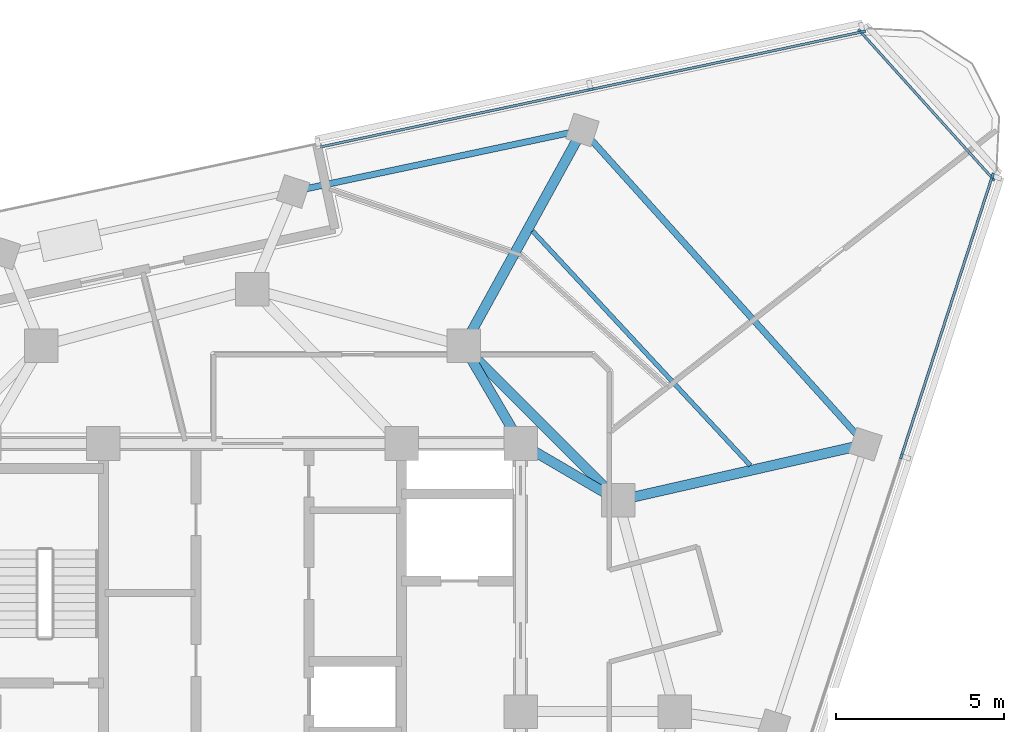
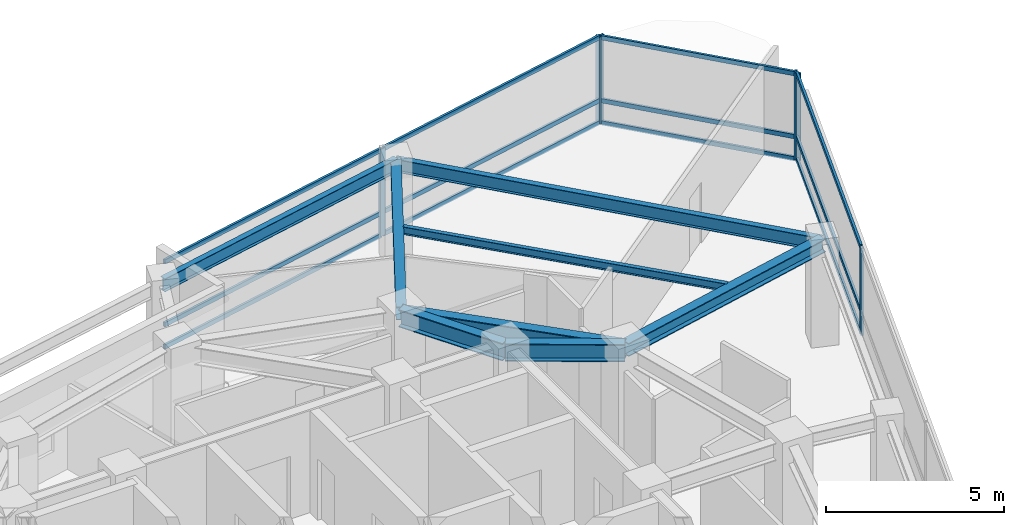
# One storey, part 6 of 15: 18 members, 8 beams, 3 elements without a shape of their own.
"""IFC4 building model written with IfcOpenShell, lengths in metres."""

from ifc_helpers import new_model, si_unit, direction, frame, origin, origin_2d, place, context, subcontext, project, spatial, rectangle, i_section, extrude, material, layer, layer_set, material_profile, profile_set, type_object, element, aggregate, save


model = new_model("IFC4")

# Units and contexts
model_context = context("Model", 3, precision=1e-05, world=origin(), true_north=direction((0.0, 1.0)))
body_context = subcontext(model_context, "Body", "Model", "MODEL_VIEW")
ifc_project = project(units=[si_unit("LENGTHUNIT", "METRE"), si_unit("AREAUNIT", "SQUARE_METRE"), si_unit("VOLUMEUNIT", "CUBIC_METRE"), si_unit("PLANEANGLEUNIT", "RADIAN"), si_unit("MASSUNIT", "GRAM", prefix="KILO")], contexts=[model_context])

# Site, building, storey
site_placement = place(None, origin())
site = spatial("IfcSite", under=ifc_project, at=site_placement, CompositionType="ELEMENT")
building_placement = place(site_placement, origin())
building = spatial("IfcBuilding", under=site, at=building_placement, Name="Terralouvre Media Tower", CompositionType="ELEMENT")
storey_placement = place(building_placement, frame((0.0, 0.0, 290.60009765625)))
storey = spatial("IfcBuildingStorey", under=building, at=storey_placement, Name="L75", CompositionType="ELEMENT", Elevation=290.60009765625)

# Beam
ifc_material_1 = material(Name="Structural steel S355J2", Category="steel")
ifc_material_profile_1 = material_profile(ifc_material_1, i_section(OverallWidth=0.135009765625, OverallDepth=0.27001953125, WebThickness=0.006591796875, FlangeThickness=0.01025390625, at=origin_2d()), Name="IPE 270")
ifc_profile_set_1 = profile_set([ifc_material_profile_1], Name="Structural steel S355J2")
beam_type_1 = type_object("IfcBeamType", Name="Composite Floor Joist J-IPE270 (IPE 270)", PredefinedType="JOIST", material=ifc_profile_set_1)
beam_1_placement = place(storey_placement, frame((14.85107421875, 7.34716796875, 3.364990234375), z_axis=(-0.680613949102, 0.732642240311, 0.0), x_axis=(-0.732642240311, -0.680613949102, 0.0)))
element("IfcBeam", 1, at=beam_1_placement, inside=storey, type_object=beam_type_1, Name="L75 Framing Beam JT-L75-04", PredefinedType="JOIST", context=body_context, shape_type="SweptSolid", body=[
    extrude(i_section(OverallWidth=0.135009765625, OverallDepth=0.27001953125, WebThickness=0.006591796875, FlangeThickness=0.01025390625, at=origin_2d()), origin(), (0.0, 0.0, 1.0), 9.54443359375),
])

# Curtain wall, members
ifc_material_2 = material(Name="Low-iron laminated double glazing with solar-control coating", Category="glass")
ifc_layer_1 = layer(ifc_material_2, 0.1650390625, Name="Faceted Glass-Point Crown Curtain Wall CW-06")
ifc_layer_set_1 = layer_set([ifc_layer_1], Name="Low-iron laminated double glazing with solar-control coating")
curtain_wall_type_1 = type_object("IfcCurtainWallType", Name="Faceted Glass-Point Crown Curtain Wall CW-06", PredefinedType="NOTDEFINED", material=ifc_layer_set_1)
curtain_wall_1_placement = place(storey_placement, origin())
curtain_wall_1 = element("IfcCurtainWall", 2, at=curtain_wall_1_placement, inside=storey, type_object=curtain_wall_type_1, Name="L75 Facade Curtain Wall F0", PredefinedType="NOTDEFINED")
ifc_material_3 = material(Name="Anodised extruded aluminium 6063-T6", Category="aluminium")
ifc_material_profile_2 = material_profile(ifc_material_3, rectangle(XDim=0.074951171875, YDim=0.14990234375, at=origin_2d()), Name="ALU 75x150")
ifc_profile_set_2 = profile_set([ifc_material_profile_2], Name="Anodised extruded aluminium 6063-T6")
member_type_1 = type_object("IfcMemberType", Name="Curtain-Wall Horizontal Transom TR-150", PredefinedType="USERDEFINED", material=ifc_profile_set_2)
member_1_placement = place(storey_placement, frame((19.372314453125, 7.662109375, 0.037353515625), z_axis=(0.309004958377, 0.951060426944, 0.0), x_axis=(-0.951060426944, 0.309004958377, 0.0)))
member_1 = element("IfcMember", 3, at=member_1_placement, type_object=member_type_1, Name="CW-06 transom 5.1", ObjectType="TRANSOM", PredefinedType="USERDEFINED", context=body_context, shape_type="SweptSolid", body=[
    extrude(rectangle(XDim=0.074951171875, YDim=0.14990234375, at=origin_2d()), origin(), (0.0, 0.0, 1.0), 8.71142578125),
])
member_2_placement = place(storey_placement, frame((19.372314453125, 7.662109375, 0.7998046875), z_axis=(0.309004958377, 0.951060426944, 0.0), x_axis=(-0.951060426944, 0.309004958377, 0.0)))
member_2 = element("IfcMember", 4, at=member_2_placement, type_object=member_type_1, Name="CW-06 transom 5.2", ObjectType="TRANSOM", PredefinedType="USERDEFINED", context=body_context, shape_type="SweptSolid", body=[
    extrude(rectangle(XDim=0.074951171875, YDim=0.14990234375, at=origin_2d()), origin(), (0.0, 0.0, 1.0), 8.71142578125),
])
member_3_placement = place(storey_placement, frame((19.372314453125, 7.662109375, 2.96240234375), z_axis=(0.309004958377, 0.951060426944, 0.0), x_axis=(-0.951060426944, 0.309004958377, 0.0)))
member_3 = element("IfcMember", 5, at=member_3_placement, type_object=member_type_1, Name="CW-06 transom 5.3", ObjectType="TRANSOM", PredefinedType="USERDEFINED", context=body_context, shape_type="SweptSolid", body=[
    extrude(rectangle(XDim=0.074951171875, YDim=0.14990234375, at=origin_2d()), origin(), (0.0, 0.0, 1.0), 8.71142578125),
])

curtain_wall_2_placement = place(storey_placement, origin())
curtain_wall_2 = element("IfcCurtainWall", 6, at=curtain_wall_2_placement, inside=storey, type_object=curtain_wall_type_1, Name="L75 Left Flank Curtain Wall F1", PredefinedType="NOTDEFINED")
member_4_placement = place(storey_placement, frame((18.166259765625, 20.2763671875, 0.037353515625), z_axis=(-0.978147598799, -0.207911699918, 0.0), x_axis=(0.207911699918, -0.978147598799, 0.0)))
member_4 = element("IfcMember", 7, at=member_4_placement, type_object=member_type_1, Name="CW-06 transom 1.1", ObjectType="TRANSOM", PredefinedType="USERDEFINED", context=body_context, shape_type="SweptSolid", body=[
    extrude(rectangle(XDim=0.074951171875, YDim=0.14990234375, at=origin_2d()), origin(), (0.0, 0.0, 1.0), 8.217529296875),
])
member_5_placement = place(storey_placement, frame((18.166259765625, 20.2763671875, 0.7998046875), z_axis=(-0.978147598799, -0.207911699918, 0.0), x_axis=(0.207911699918, -0.978147598799, 0.0)))
member_5 = element("IfcMember", 8, at=member_5_placement, type_object=member_type_1, Name="CW-06 transom 1.2", ObjectType="TRANSOM", PredefinedType="USERDEFINED", context=body_context, shape_type="SweptSolid", body=[
    extrude(rectangle(XDim=0.074951171875, YDim=0.14990234375, at=origin_2d()), origin(), (0.0, 0.0, 1.0), 8.217529296875),
])
member_6_placement = place(storey_placement, frame((18.166259765625, 20.2763671875, 2.96240234375), z_axis=(-0.978147598799, -0.207911699918, 0.0), x_axis=(0.207911699918, -0.978147598799, 0.0)))
member_6 = element("IfcMember", 9, at=member_6_placement, type_object=member_type_1, Name="CW-06 transom 1.3", ObjectType="TRANSOM", PredefinedType="USERDEFINED", context=body_context, shape_type="SweptSolid", body=[
    extrude(rectangle(XDim=0.074951171875, YDim=0.14990234375, at=origin_2d()), origin(), (0.0, 0.0, 1.0), 8.217529296875),
])
member_7_placement = place(storey_placement, frame((10.054931640625, 18.55224609375, 0.037353515625), z_axis=(-0.978147598799, -0.207911699918, 0.0), x_axis=(0.207911699918, -0.978147598799, 0.0)))
member_7 = element("IfcMember", 10, at=member_7_placement, type_object=member_type_1, Name="CW-06 transom 2.1", ObjectType="TRANSOM", PredefinedType="USERDEFINED", context=body_context, shape_type="SweptSolid", body=[
    extrude(rectangle(XDim=0.074951171875, YDim=0.14990234375, at=origin_2d()), origin(), (0.0, 0.0, 1.0), 8.217529296875),
])
member_8_placement = place(storey_placement, frame((10.054931640625, 18.55224609375, 0.7998046875), z_axis=(-0.978147598799, -0.207911699918, 0.0), x_axis=(0.207911699918, -0.978147598799, 0.0)))
member_8 = element("IfcMember", 11, at=member_8_placement, type_object=member_type_1, Name="CW-06 transom 2.2", ObjectType="TRANSOM", PredefinedType="USERDEFINED", context=body_context, shape_type="SweptSolid", body=[
    extrude(rectangle(XDim=0.074951171875, YDim=0.14990234375, at=origin_2d()), origin(), (0.0, 0.0, 1.0), 8.217529296875),
])
member_9_placement = place(storey_placement, frame((10.054931640625, 18.55224609375, 2.96240234375), z_axis=(-0.978147598799, -0.207911699918, 0.0), x_axis=(0.207911699918, -0.978147598799, 0.0)))
member_9 = element("IfcMember", 12, at=member_9_placement, type_object=member_type_1, Name="CW-06 transom 2.3", ObjectType="TRANSOM", PredefinedType="USERDEFINED", context=body_context, shape_type="SweptSolid", body=[
    extrude(rectangle(XDim=0.074951171875, YDim=0.14990234375, at=origin_2d()), origin(), (0.0, 0.0, 1.0), 8.217529296875),
])

ifc_material_4 = material(Name="Low-iron laminated double glazing with solar-control coating", Category="glass")
ifc_layer_2 = layer(ifc_material_4, 0.1650390625, Name="Rounded Wind-Corner Curved Glazing CW-04")
ifc_layer_set_2 = layer_set([ifc_layer_2], Name="Low-iron laminated double glazing with solar-control coating")
curtain_wall_type_2 = type_object("IfcCurtainWallType", Name="Rounded Wind-Corner Curved Glazing CW-04", PredefinedType="NOTDEFINED", material=ifc_layer_set_2)
curtain_wall_3_placement = place(storey_placement, origin())
curtain_wall_3 = element("IfcCurtainWall", 13, at=curtain_wall_3_placement, inside=storey, type_object=curtain_wall_type_2, Name="L75 Rounded Wind-Corner Curtain Wall C1", PredefinedType="NOTDEFINED")
member_10_placement = place(storey_placement, frame((22.04736328125, 15.943603515625, 0.037353515625), z_axis=(-0.669127275147, 0.743147824901, 0.0), x_axis=(-0.743147824901, -0.669127275147, 0.0)))
member_10 = element("IfcMember", 14, at=member_10_placement, type_object=member_type_1, Name="CW-04 transom 1.1", ObjectType="TRANSOM", PredefinedType="USERDEFINED", context=body_context, shape_type="SweptSolid", body=[
    extrude(rectangle(XDim=0.074951171875, YDim=0.14990234375, at=origin_2d()), origin(), (0.0, 0.0, 1.0), 5.808349609375),
])
member_11_placement = place(storey_placement, frame((22.04736328125, 15.943603515625, 0.7998046875), z_axis=(-0.669127275147, 0.743147824901, 0.0), x_axis=(-0.743147824901, -0.669127275147, 0.0)))
member_11 = element("IfcMember", 15, at=member_11_placement, type_object=member_type_1, Name="CW-04 transom 1.2", ObjectType="TRANSOM", PredefinedType="USERDEFINED", context=body_context, shape_type="SweptSolid", body=[
    extrude(rectangle(XDim=0.074951171875, YDim=0.14990234375, at=origin_2d()), origin(), (0.0, 0.0, 1.0), 5.808349609375),
])
member_12_placement = place(storey_placement, frame((22.04736328125, 15.943603515625, 2.96240234375), z_axis=(-0.669127275147, 0.743147824901, 0.0), x_axis=(-0.743147824901, -0.669127275147, 0.0)))
member_12 = element("IfcMember", 16, at=member_12_placement, type_object=member_type_1, Name="CW-04 transom 1.3", ObjectType="TRANSOM", PredefinedType="USERDEFINED", context=body_context, shape_type="SweptSolid", body=[
    extrude(rectangle(XDim=0.074951171875, YDim=0.14990234375, at=origin_2d()), origin(), (0.0, 0.0, 1.0), 5.808349609375),
])

# Member
ifc_material_5 = material(Name="Anodised extruded aluminium 6063-T6", Category="aluminium")
ifc_material_profile_3 = material_profile(ifc_material_5, rectangle(XDim=0.074951171875, YDim=0.179931640625, at=origin_2d()), Name="ALU 75x180")
ifc_profile_set_3 = profile_set([ifc_material_profile_3], Name="Anodised extruded aluminium 6063-T6")
member_type_2 = type_object("IfcMemberType", Name="Curtain-Wall Vertical Mullion ML-180", PredefinedType="MULLION", material=ifc_profile_set_3)
member_13_placement = place(storey_placement, frame((19.360595703125, 7.62646484375, 0.0), z_axis=(0.0, 0.0, 1.0), x_axis=(-0.951056507337, 0.309017021946, 0.0)))
member_13 = element("IfcMember", 17, at=member_13_placement, type_object=member_type_2, Name="CW-06 mullion 5", PredefinedType="MULLION", context=body_context, shape_type="SweptSolid", body=[
    extrude(rectangle(XDim=0.074951171875, YDim=0.179931640625, at=origin_2d()), origin(), (0.0, 0.0, 1.0), 3.0),
])

member_14_placement = place(storey_placement, frame((22.075927734375, 15.98291015625, 0.0), z_axis=(0.0, 0.0, 1.0), x_axis=(-0.951056507337, 0.309017021946, 0.0)))
member_14 = element("IfcMember", 18, at=member_14_placement, type_object=member_type_2, Name="CW-06 mullion 6", PredefinedType="MULLION", context=body_context, shape_type="SweptSolid", body=[
    extrude(rectangle(XDim=0.074951171875, YDim=0.179931640625, at=origin_2d()), origin(), (0.0, 0.0, 1.0), 3.0),
])

aggregate(curtain_wall_1, [member_13, member_14, member_1, member_2, member_3])

member_15_placement = place(storey_placement, frame((18.202880859375, 20.2841796875, 0.0), z_axis=(0.0, 0.0, 1.0), x_axis=(0.207911749648, -0.978147588229, 0.0)))
member_15 = element("IfcMember", 19, at=member_15_placement, type_object=member_type_2, Name="CW-06 mullion 1", PredefinedType="MULLION", context=body_context, shape_type="SweptSolid", body=[
    extrude(rectangle(XDim=0.074951171875, YDim=0.179931640625, at=origin_2d()), origin(), (0.0, 0.0, 1.0), 3.0),
])

member_16_placement = place(storey_placement, frame((10.091552734375, 18.56005859375, 0.0), z_axis=(0.0, 0.0, 1.0), x_axis=(0.207911749648, -0.978147588229, 0.0)))
member_16 = element("IfcMember", 20, at=member_16_placement, type_object=member_type_2, Name="CW-06 mullion 2", PredefinedType="MULLION", context=body_context, shape_type="SweptSolid", body=[
    extrude(rectangle(XDim=0.074951171875, YDim=0.179931640625, at=origin_2d()), origin(), (0.0, 0.0, 1.0), 3.0),
])

aggregate(curtain_wall_2, [member_15, member_16, member_4, member_5, member_6, member_7, member_8, member_9])

member_17_placement = place(storey_placement, frame((22.072509765625, 15.915771484375, 0.0), z_axis=(0.0, 0.0, 1.0), x_axis=(-0.743145163279, -0.669130231192, 0.0)))
member_17 = element("IfcMember", 21, at=member_17_placement, type_object=member_type_2, Name="CW-04 mullion 1", PredefinedType="MULLION", context=body_context, shape_type="SweptSolid", body=[
    extrude(rectangle(XDim=0.074951171875, YDim=0.179931640625, at=origin_2d()), origin(), (0.0, 0.0, 1.0), 3.0),
])

member_18_placement = place(storey_placement, frame((18.1357421875, 20.287841796875, 0.0), z_axis=(0.0, 0.0, 1.0), x_axis=(-0.743145163279, -0.669130231192, 0.0)))
member_18 = element("IfcMember", 22, at=member_18_placement, type_object=member_type_2, Name="CW-04 mullion 2", PredefinedType="MULLION", context=body_context, shape_type="SweptSolid", body=[
    extrude(rectangle(XDim=0.074951171875, YDim=0.179931640625, at=origin_2d()), origin(), (0.0, 0.0, 1.0), 3.0),
])

aggregate(curtain_wall_3, [member_17, member_18, member_10, member_11, member_12])

# Beams
ifc_material_6 = material(Name="Structural steel S355J2", Category="steel")
ifc_material_profile_4 = material_profile(ifc_material_6, i_section(OverallWidth=0.18994140625, OverallDepth=0.449951171875, WebThickness=0.009521484375, FlangeThickness=0.0146484375, at=origin_2d()), Name="IPE 450")
ifc_profile_set_4 = profile_set([ifc_material_profile_4], Name="Structural steel S355J2")
beam_type_2 = type_object("IfcBeamType", Name="Perimeter Spandrel Beam SPB-450 (IPE 450)", PredefinedType="SPANDREL", material=ifc_profile_set_4)
beam_2_placement = place(storey_placement, frame((18.285888671875, 7.975830078125, 3.27490234375), z_axis=(-0.669130421256, 0.743144992144, 0.0), x_axis=(-0.743144992144, -0.669130421256, 0.0)))
element("IfcBeam", 23, at=beam_2_placement, inside=storey, type_object=beam_type_2, Name="L75 Framing Beam BM-L75-PR08", PredefinedType="SPANDREL", context=body_context, shape_type="SweptSolid", body=[
    extrude(i_section(OverallWidth=0.18994140625, OverallDepth=0.449951171875, WebThickness=0.009521484375, FlangeThickness=0.0146484375, at=origin_2d()), origin(), (0.0, 0.0, 1.0), 12.616943359375),
])
beam_3_placement = place(storey_placement, frame((9.843505859375, 17.35205078125, 3.27490234375), z_axis=(-0.978151678083, -0.207892507471, 0.0), x_axis=(0.207892507471, -0.978151678083, 0.0)))
element("IfcBeam", 24, at=beam_3_placement, inside=storey, type_object=beam_type_2, Name="L75 Framing Beam BM-L75-PR09", PredefinedType="SPANDREL", context=body_context, shape_type="SweptSolid", body=[
    extrude(i_section(OverallWidth=0.18994140625, OverallDepth=0.449951171875, WebThickness=0.009521484375, FlangeThickness=0.0146484375, at=origin_2d()), origin(), (0.0, 0.0, 1.0), 8.82421875),
])
ifc_material_7 = material(Name="Structural steel S355J2", Category="steel")
ifc_material_profile_5 = material_profile(ifc_material_7, i_section(OverallWidth=0.300048828125, OverallDepth=0.449951171875, WebThickness=0.013916015625, FlangeThickness=0.02587890625, at=origin_2d()), Name="HEB 450")
ifc_profile_set_5 = profile_set([ifc_material_profile_5], Name="Structural steel S355J2")
beam_type_3 = type_object("IfcBeamType", Name="Primary Floor Girder B-HEB450 (HEB 450)", PredefinedType="BEAM", material=ifc_profile_set_5)
beam_4_placement = place(storey_placement, frame((10.911865234375, 6.300048828125, 3.27490234375), z_axis=(0.975136661347, 0.221604358479, 0.0), x_axis=(-0.221604358479, 0.975136661347, 0.0)))
element("IfcBeam", 25, at=beam_4_placement, inside=storey, type_object=beam_type_3, Name="L75 Framing Beam BM-L75-RD08", PredefinedType="BEAM", context=body_context, shape_type="SweptSolid", body=[
    extrude(i_section(OverallWidth=0.300048828125, OverallDepth=0.449951171875, WebThickness=0.013916015625, FlangeThickness=0.02587890625, at=origin_2d()), origin(), (0.0, 0.0, 1.0), 7.56201171875),
])
beam_5_placement = place(storey_placement, frame((6.300048828125, 10.911865234375, 3.27490234375), z_axis=(0.482060267282, 0.876138059159, 0.0), x_axis=(-0.876138059159, 0.482060267282, 0.0)))
element("IfcBeam", 26, at=beam_5_placement, inside=storey, type_object=beam_type_3, Name="L75 Framing Beam BM-L75-RD09", PredefinedType="BEAM", context=body_context, shape_type="SweptSolid", body=[
    extrude(i_section(OverallWidth=0.300048828125, OverallDepth=0.449951171875, WebThickness=0.013916015625, FlangeThickness=0.02587890625, at=origin_2d()), origin(), (0.0, 0.0, 1.0), 7.3505859375),
])
ifc_material_8 = material(Name="Structural steel S460M", Category="steel")
ifc_material_profile_6 = material_profile(ifc_material_8, i_section(OverallWidth=0.300048828125, OverallDepth=0.60009765625, WebThickness=0.015380859375, FlangeThickness=0.030029296875, at=origin_2d()), Name="HEB 600")
ifc_profile_set_6 = profile_set([ifc_material_profile_6], Name="Structural steel S460M")
beam_type_4 = type_object("IfcBeamType", Name="Primary Floor Girder B-HEB600 (HEB 600)", PredefinedType="BEAM", material=ifc_profile_set_6)
beam_6_placement = place(storey_placement, frame((10.911865234375, 6.300048828125, 3.199951171875), z_axis=(-0.707106781187, 0.707106781187, 0.0), x_axis=(-0.707106781187, -0.707106781187, 0.0)))
element("IfcBeam", 27, at=beam_6_placement, inside=storey, type_object=beam_type_4, Name="L75 Framing Beam BM-L75-MR07", PredefinedType="BEAM", context=body_context, shape_type="SweptSolid", body=[
    extrude(i_section(OverallWidth=0.300048828125, OverallDepth=0.60009765625, WebThickness=0.015380859375, FlangeThickness=0.030029296875, at=origin_2d()), origin(), (0.0, 0.0, 1.0), 6.52197265625),
])
for number, where, z_axis, x_axis, name in (
    (28, (8.0, 8.0, 3.199951171875), (0.863602894532, -0.504172629717, 0.0), (0.504172629717, 0.863602894532, 0.0), "L75 Framing Beam BM-L75-CM07"),
    (29, (8.0, 8.0, 3.199951171875), (-0.504172629717, 0.863602894532, 0.0), (-0.863602894532, -0.504172629717, 0.0), "L75 Framing Beam BM-L75-CM08"),
):
    element("IfcBeam", number, at=place(storey_placement, frame(where, z_axis=z_axis, x_axis=x_axis)), inside=storey, type_object=beam_type_4, Name=name, PredefinedType="BEAM", context=body_context, shape_type="SweptSolid", body=[
        extrude(i_section(OverallWidth=0.300048828125, OverallDepth=0.60009765625, WebThickness=0.015380859375, FlangeThickness=0.030029296875, at=origin_2d()), origin(), (0.0, 0.0, 1.0), 3.371826171875),
    ])

save(model, "model.ifc")
